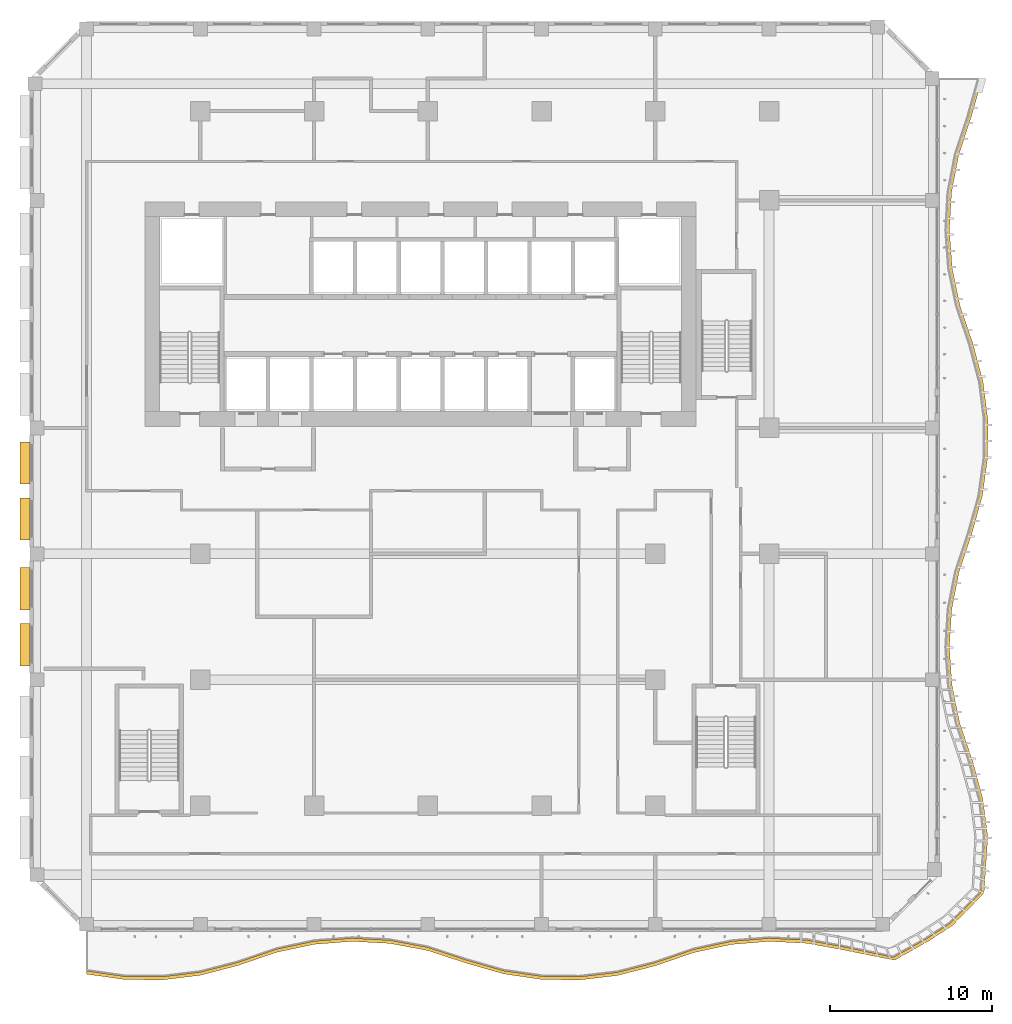
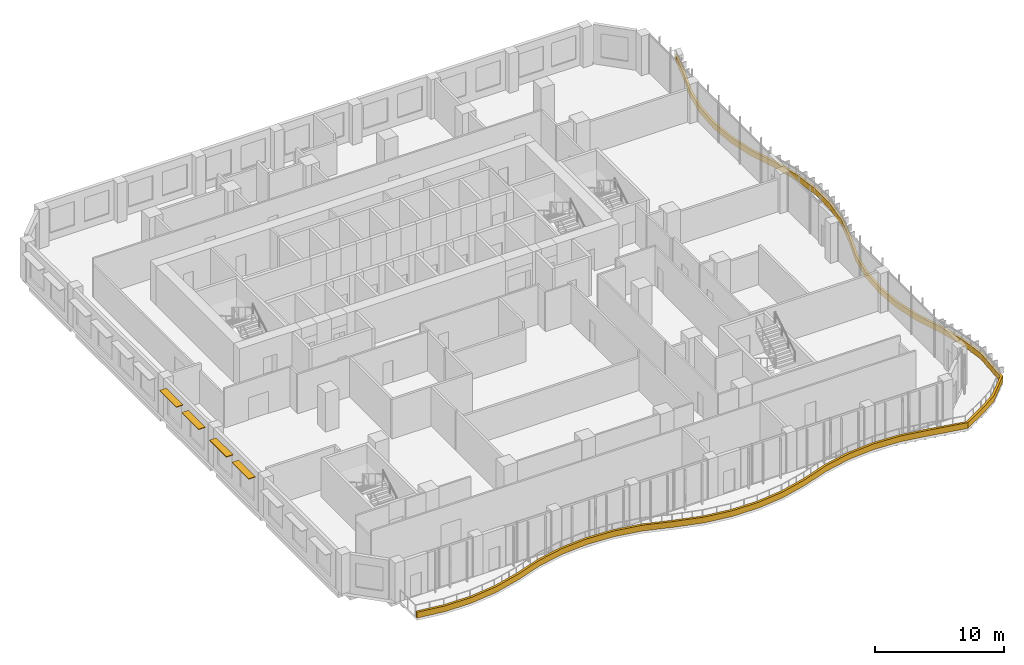
# One storey, part 19 of 26: 5 shading devices.
"""IFC4 building model written with IfcOpenShell, lengths in metres."""

from ifc_helpers import new_model, si_unit, direction, frame, origin, origin_2d, place, context, subcontext, project, spatial, polyline, rectangle, outline, extrude, source, transform, mapped, material, layer, layer_set, type_object, element, save


model = new_model("IFC4")

# Units and contexts
model_context = context("Model", 3, precision=1e-05, world=origin(), true_north=direction((0.0, 1.0)))
body_context = subcontext(model_context, "Body", "Model", "MODEL_VIEW")
ifc_project = project(units=[si_unit("LENGTHUNIT", "METRE"), si_unit("AREAUNIT", "SQUARE_METRE"), si_unit("VOLUMEUNIT", "CUBIC_METRE"), si_unit("PLANEANGLEUNIT", "RADIAN"), si_unit("MASSUNIT", "GRAM", prefix="KILO")], contexts=[model_context])

# Site, building, storey
site_placement = place(None, origin())
site = spatial("IfcSite", under=ifc_project, at=site_placement, CompositionType="ELEMENT")
building_placement = place(site_placement, origin())
building = spatial("IfcBuilding", under=site, at=building_placement, Name="Kilnfold Tower and Market Hall", CompositionType="ELEMENT")
storey_placement = place(building_placement, frame((0.0, 0.0, 108.60009765625)))
storey = spatial("IfcBuildingStorey", under=building, at=storey_placement, Name="L25", CompositionType="ELEMENT", Elevation=108.60009765625)

# Shading devices
ifc_material_1 = material(Name="Terracotta", Category="masonry")
ifc_layer_1 = layer(ifc_material_1, 0.06005859375)
ifc_layer_set_1 = layer_set([ifc_layer_1], Name="Terracotta")
shading_device_type_1 = type_object("IfcShadingDeviceType", Name="SUNSHADE BLADE 600", PredefinedType="USERDEFINED", material=ifc_layer_set_1)
shared_shape_1 = source(origin(), body_context, "Body", "SweptSolid", [
    extrude(rectangle(XDim=2.60009765625, YDim=0.60009765625, at=origin_2d()), origin(), (0.0, 0.0, 1.0), 0.06005859375),
])
for number, where, z_axis, x_axis, name in (
    (1, (-23.300048828125, 5.85009765625, 3.02978515625), (0.0, 0.0, 1.0), (0.0, -1.0, 0.0), "Sunshade L25 W"),
    (2, (-23.300048828125, 2.39990234375, 3.02978515625), (0.0, 0.0, 1.0), (0.0, -1.0, 0.0), "Sunshade L25 W"),
    (3, (-23.300048828125, -1.89990234375, 3.02978515625), (0.0, 0.0, 1.0), (0.0, -1.0, 0.0), "Sunshade L25 W"),
    (4, (-23.300048828125, -5.35009765625, 3.02978515625), (0.0, 0.0, 1.0), (0.0, -1.0, 0.0), "Sunshade L25 W"),
):
    element("IfcShadingDevice", number, at=place(storey_placement, frame(where, z_axis=z_axis, x_axis=x_axis)), inside=storey, type_object=shading_device_type_1, Name=name, ObjectType="SUNSHADE", PredefinedType="USERDEFINED", context=body_context, shape_type="MappedRepresentation", body=[
        mapped(shared_shape_1, transform((0.0, 0.0, 0.0))),
    ])
ifc_material_2 = material(Name="Precast concrete C50/60", Category="concrete")
ifc_layer_2 = layer(ifc_material_2, 0.550048828125)
ifc_layer_set_2 = layer_set([ifc_layer_2], Name="Precast concrete C50/60")
shading_device_type_2 = type_object("IfcShadingDeviceType", Name="BALCONY UPSTAND 550", PredefinedType="USERDEFINED", material=ifc_layer_set_2)
shared_shape_2 = source(origin(), body_context, "Body", "SweptSolid", [
    extrude(outline(polyline([(-19.5, -25.6171875), (-17.166748046875, -25.949462890625), (-14.833251953125, -25.972412109375), (-12.5, -25.68798828125), (-10.166748046875, -25.080078125), (-7.833251953125, -24.27978515625), (-5.5, -23.782470703125), (-3.166748046875, -23.601318359375), (-0.833251953125, -23.7265625), (1.5, -24.164794921875), (3.833251953125, -24.932373046875), (6.166748046875, -25.602294921875), (8.5, -25.94384765625), (10.833251953125, -25.976318359375), (13.166748046875, -25.701171875), (15.5, -25.103515625), (17.833251953125, -24.2998046875), (20.166748046875, -23.792724609375), (22.5, -23.602294921875), (24.833251953125, -23.71826171875), (27.166748046875, -24.146728515625), (30.2294921875, -24.761474609375), (32.3798828125, -23.546630859375), (33.79248046875, -22.6259765625), (35.734130859375, -20.632568359375), (35.964111328125, -17.166748046875), (35.660400390625, -14.833251953125), (35.031982421875, -12.5), (34.239990234375, -10.166748046875), (33.7626953125, -7.833251953125), (33.60009765625, -5.5), (33.743896484375, -3.166748046875), (34.201904296875, -0.833251953125), (34.98291015625, 1.5), (35.632080078125, 3.833251953125), (35.95458984375, 6.166748046875), (35.968505859375, 8.5), (35.67431640625, 10.833251953125), (35.05615234375, 13.166748046875), (34.259765625, 15.5), (33.7724609375, 17.833251953125), (33.6005859375, 20.166748046875), (33.735107421875, 22.5), (34.18310546875, 24.833251953125), (34.957763671875, 27.166748046875), (35.6171875, 29.5), (35.417236328125, 29.5), (34.7578125, 27.166748046875), (33.983154296875, 24.833251953125), (33.53515625, 22.5), (33.400634765625, 20.166748046875), (33.572509765625, 17.833251953125), (34.059814453125, 15.5), (34.856201171875, 13.166748046875), (35.474365234375, 10.833251953125), (35.7685546875, 8.5), (35.754638671875, 6.166748046875), (35.431884765625, 3.833251953125), (34.782958984375, 1.5), (34.001708984375, -0.833251953125), (33.5439453125, -3.166748046875), (33.400146484375, -5.5), (33.5625, -7.833251953125), (34.0400390625, -10.166748046875), (34.83203125, -12.5), (35.46044921875, -14.833251953125), (35.76416015625, -17.166748046875), (35.54931640625, -20.555908203125), (33.651123046875, -22.484619140625), (32.238525390625, -23.4052734375), (30.153076171875, -24.57666015625), (27.166748046875, -23.94677734375), (24.833251953125, -23.518310546875), (22.5, -23.402099609375), (20.166748046875, -23.5927734375), (17.833251953125, -24.099853515625), (15.5, -24.903564453125), (13.166748046875, -25.501220703125), (10.833251953125, -25.7763671875), (8.5, -25.743896484375), (6.166748046875, -25.402099609375), (3.833251953125, -24.732421875), (1.5, -23.964599609375), (-0.833251953125, -23.526611328125), (-3.166748046875, -23.4013671875), (-5.5, -23.58251953125), (-7.833251953125, -24.07958984375), (-10.166748046875, -24.880126953125), (-12.5, -25.48779296875), (-14.833251953125, -25.7724609375), (-17.166748046875, -25.74951171875), (-19.5, -25.417236328125), (-19.5, -25.6171875)])), origin(), (0.0, 0.0, 1.0), 0.5498046875),
])
shading_device_placement = place(storey_placement, origin())
element("IfcShadingDevice", 5, at=shading_device_placement, inside=storey, type_object=shading_device_type_2, Name="Balcony fascia L25", ObjectType="FASCIA", PredefinedType="USERDEFINED", context=body_context, shape_type="MappedRepresentation", body=[
    mapped(shared_shape_2, transform((0.0, 0.0, 0.0))),
])

save(model, "model.ifc")
